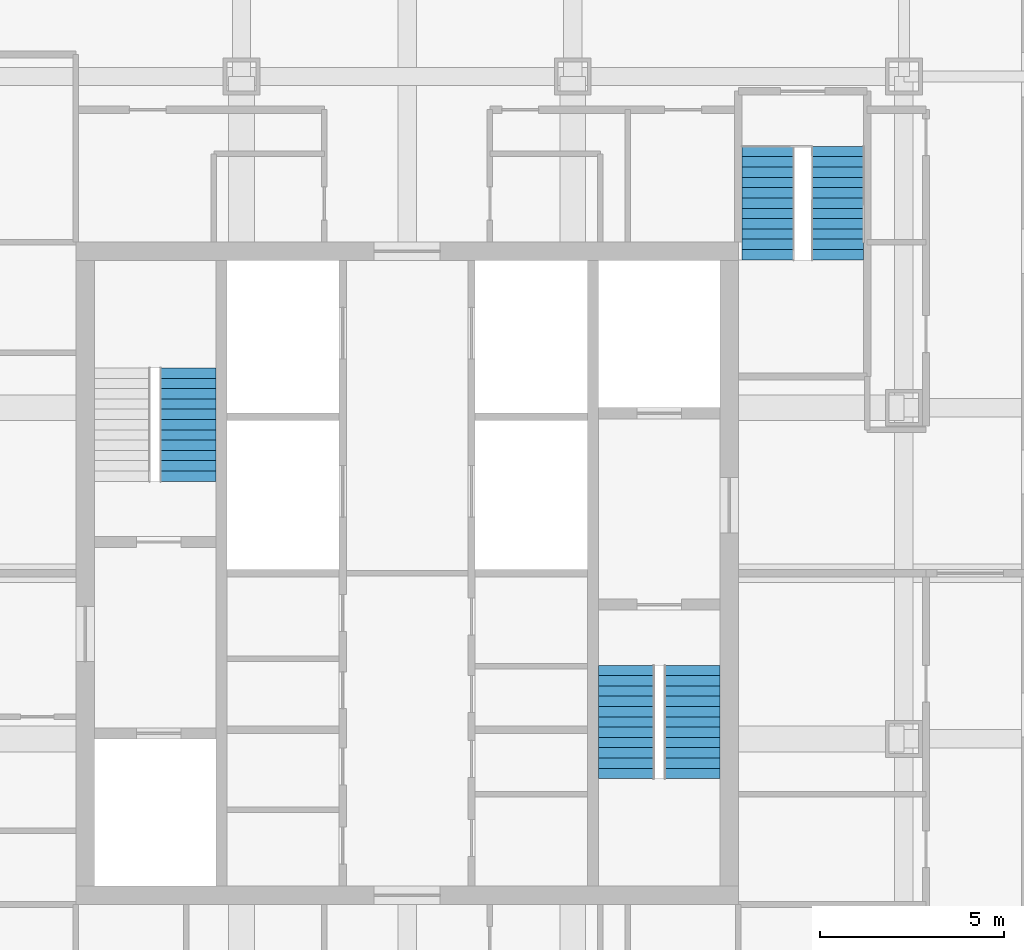
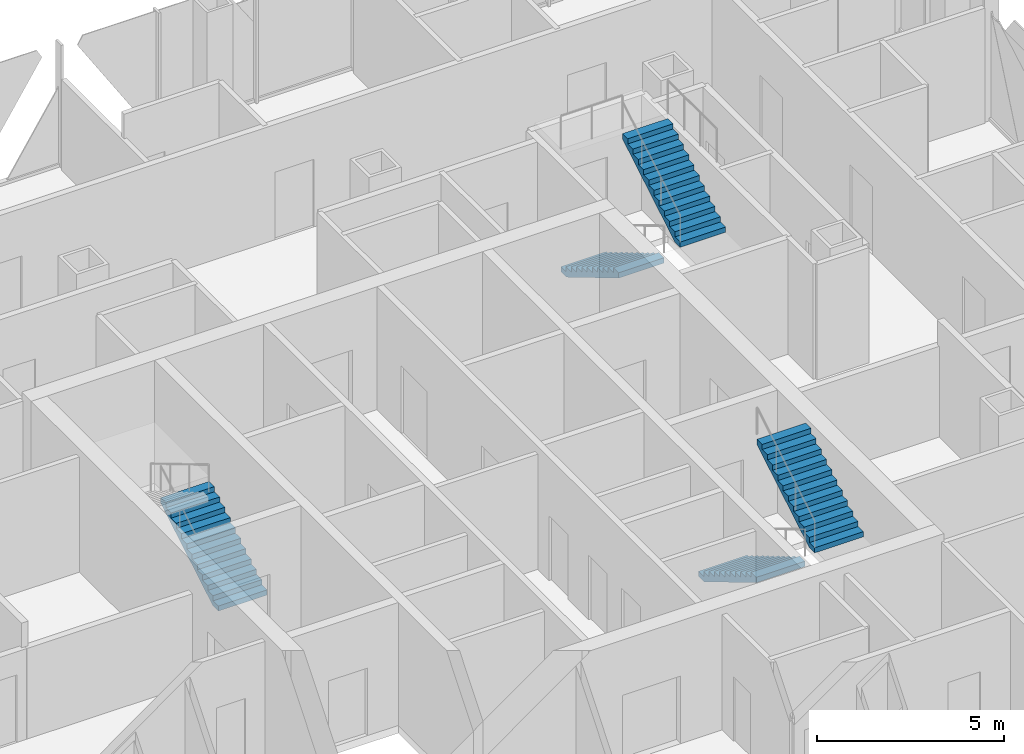
# One storey, part 12 of 25: 5 stair flights, 3 elements without a shape of their own.
"""IFC4 building model written with IfcOpenShell, lengths in metres."""

from ifc_helpers import new_model, si_unit, direction, frame, origin, place, context, subcontext, project, spatial, polyline, outline, extrude, material, type_object, element, aggregate, save


model = new_model("IFC4")

# Units and contexts
model_context = context("Model", 3, precision=1e-05, world=origin(), true_north=direction((0.0, 1.0)))
body_context = subcontext(model_context, "Body", "Model", "MODEL_VIEW")
ifc_project = project(units=[si_unit("LENGTHUNIT", "METRE"), si_unit("AREAUNIT", "SQUARE_METRE"), si_unit("VOLUMEUNIT", "CUBIC_METRE"), si_unit("PLANEANGLEUNIT", "RADIAN"), si_unit("MASSUNIT", "GRAM", prefix="KILO")], contexts=[model_context])

# Site, building, storey
site_placement = place(None, origin())
site = spatial("IfcSite", under=ifc_project, at=site_placement, CompositionType="ELEMENT")
building_placement = place(site_placement, origin())
building = spatial("IfcBuilding", under=site, at=building_placement, Name="Malebo Sky Hospital", CompositionType="ELEMENT")
storey_placement = place(building_placement, frame((0.0, 0.0, 241.0)))
storey = spatial("IfcBuildingStorey", under=building, at=storey_placement, Name="L58", CompositionType="ELEMENT", Elevation=241.0)

# Stair, stair flights
ifc_material = material(Name="Concrete C40/50", Category="concrete")
stair_type_1 = type_object("IfcStairType", Name="HALF-TURN STAIR 1400 R167", PredefinedType="HALF_TURN_STAIR", material=ifc_material)
stair_1_placement = place(storey_placement, origin())
stair_1 = element("IfcStair", 1, at=stair_1_placement, inside=storey, type_object=stair_type_1, Name="Stair S3 L58 type ST1B", PredefinedType="HALF_TURN_STAIR")
stair_flight_type_1 = type_object("IfcStairFlightType", Name="STAIR FLIGHT 1400 R167", PredefinedType="STRAIGHT", material=ifc_material)
stair_flight_1_placement = place(storey_placement, frame((69.800048828125, 73.60009765625, 0.0), z_axis=(0.0, 0.0, 1.0), x_axis=(0.0, -1.0, 0.0)))
stair_flight_1 = element("IfcStairFlight", 2, at=stair_flight_1_placement, type_object=stair_flight_type_1, Name="S3 flight 1 type SF1B", NumberOfRisers=12, NumberOfTreads=11, PredefinedType="STRAIGHT", RiserHeight=0.166666667, TreadLength=0.28, context=body_context, shape_type="SweptSolid", body=[
    extrude(outline(polyline([(0.0, 0.0), (0.0, 0.166748046875), (0.280029296875, 0.166748046875), (0.280029296875, 0.333251953125), (0.56005859375, 0.333251953125), (0.56005859375, 0.5), (0.840087890625, 0.5), (0.840087890625, 0.666748046875), (1.1201171875, 0.666748046875), (1.1201171875, 0.833251953125), (1.39990234375, 0.833251953125), (1.39990234375, 1.0), (1.679931640625, 1.0), (1.679931640625, 1.166748046875), (1.9599609375, 1.166748046875), (1.9599609375, 1.333251953125), (2.239990234375, 1.333251953125), (2.239990234375, 1.5), (2.52001953125, 1.5), (2.52001953125, 1.666748046875), (2.800048828125, 1.666748046875), (2.800048828125, 1.833251953125), (3.080078125, 1.833251953125), (3.080078125, 2.0), (3.080078125, 1.658935546875), (0.29296875, 0.0), (0.0, 0.0)])), frame((0.0, 0.699951171875, 0.0), z_axis=(0.0, -1.0, 0.0), x_axis=(1.0, 0.0, 0.0)), (0.0, 0.0, 1.0), 1.39990234375),
])
stair_flight_2_placement = place(storey_placement, frame((71.699951171875, 70.52001953125, 2.0), z_axis=(0.0, 0.0, 1.0), x_axis=(0.0, 1.0, 0.0)))
stair_flight_2 = element("IfcStairFlight", 3, at=stair_flight_2_placement, type_object=stair_flight_type_1, Name="S3 flight 2 type SF1B", NumberOfRisers=12, NumberOfTreads=11, PredefinedType="STRAIGHT", RiserHeight=0.166666667, TreadLength=0.28, context=body_context, shape_type="SweptSolid", body=[
    extrude(outline(polyline([(0.0, 0.0), (0.0, 0.166748046875), (0.280029296875, 0.166748046875), (0.280029296875, 0.333251953125), (0.56005859375, 0.333251953125), (0.56005859375, 0.5), (0.840087890625, 0.5), (0.840087890625, 0.666748046875), (1.1201171875, 0.666748046875), (1.1201171875, 0.833251953125), (1.39990234375, 0.833251953125), (1.39990234375, 1.0), (1.679931640625, 1.0), (1.679931640625, 1.166748046875), (1.9599609375, 1.166748046875), (1.9599609375, 1.333251953125), (2.239990234375, 1.333251953125), (2.239990234375, 1.5), (2.52001953125, 1.5), (2.52001953125, 1.666748046875), (2.800048828125, 1.666748046875), (2.800048828125, 1.833251953125), (3.080078125, 1.833251953125), (3.080078125, 2.0), (3.080078125, 1.658935546875), (0.29296875, 0.0), (0.0, 0.0)])), frame((0.0, 0.699951171875, 0.0), z_axis=(0.0, -1.0, 0.0), x_axis=(1.0, 0.0, 0.0)), (0.0, 0.0, 1.0), 1.39990234375),
])
aggregate(stair_1, [stair_flight_1, stair_flight_2])

# Stair, stair flight
stair_type_2 = type_object("IfcStairType", Name="HALF-TURN STAIR 1500 R167", PredefinedType="HALF_TURN_STAIR", material=ifc_material)
stair_2_placement = place(storey_placement, origin())
stair_2 = element("IfcStair", 4, at=stair_2_placement, inside=storey, type_object=stair_type_2, Name="Stair S1 L58 type ST1", PredefinedType="HALF_TURN_STAIR")
stair_flight_type_2 = type_object("IfcStairFlightType", Name="STAIR FLIGHT 1500 R167", PredefinedType="STRAIGHT", material=ifc_material)
stair_flight_3_placement = place(storey_placement, frame((54.050048828125, 64.5, 0.0), z_axis=(0.0, 0.0, 1.0), x_axis=(0.0, 1.0, 0.0)))
stair_flight_3 = element("IfcStairFlight", 5, at=stair_flight_3_placement, type_object=stair_flight_type_2, Name="S1 flight 1 type SF1", NumberOfRisers=12, NumberOfTreads=11, PredefinedType="STRAIGHT", RiserHeight=0.166666667, TreadLength=0.28, context=body_context, shape_type="SweptSolid", body=[
    extrude(outline(polyline([(0.0, 0.0), (0.0, 0.166748046875), (0.280029296875, 0.166748046875), (0.280029296875, 0.333251953125), (0.56005859375, 0.333251953125), (0.56005859375, 0.5), (0.840087890625, 0.5), (0.840087890625, 0.666748046875), (1.1201171875, 0.666748046875), (1.1201171875, 0.833251953125), (1.39990234375, 0.833251953125), (1.39990234375, 1.0), (1.679931640625, 1.0), (1.679931640625, 1.166748046875), (1.9599609375, 1.166748046875), (1.9599609375, 1.333251953125), (2.239990234375, 1.333251953125), (2.239990234375, 1.5), (2.52001953125, 1.5), (2.52001953125, 1.666748046875), (2.800048828125, 1.666748046875), (2.800048828125, 1.833251953125), (3.080078125, 1.833251953125), (3.080078125, 2.0), (3.080078125, 1.658935546875), (0.29296875, 0.0), (0.0, 0.0)])), frame((0.0, 0.75, 0.0), z_axis=(0.0, -1.0, 0.0), x_axis=(1.0, 0.0, 0.0)), (0.0, 0.0, 1.0), 1.5),
])
aggregate(stair_2, [stair_flight_3])

# Stair, stair flights
stair_3_placement = place(storey_placement, origin())
stair_3 = element("IfcStair", 6, at=stair_3_placement, inside=storey, type_object=stair_type_2, Name="Stair S2 L58 type ST1", PredefinedType="HALF_TURN_STAIR")
stair_flight_4_placement = place(storey_placement, frame((65.949951171875, 59.5, 0.0), z_axis=(0.0, 0.0, 1.0), x_axis=(0.0, -1.0, 0.0)))
stair_flight_4 = element("IfcStairFlight", 7, at=stair_flight_4_placement, type_object=stair_flight_type_2, Name="S2 flight 1 type SF1", NumberOfRisers=12, NumberOfTreads=11, PredefinedType="STRAIGHT", RiserHeight=0.166666667, TreadLength=0.28, context=body_context, shape_type="SweptSolid", body=[
    extrude(outline(polyline([(0.0, 0.0), (0.0, 0.166748046875), (0.280029296875, 0.166748046875), (0.280029296875, 0.333251953125), (0.56005859375, 0.333251953125), (0.56005859375, 0.5), (0.840087890625, 0.5), (0.840087890625, 0.666748046875), (1.1201171875, 0.666748046875), (1.1201171875, 0.833251953125), (1.39990234375, 0.833251953125), (1.39990234375, 1.0), (1.679931640625, 1.0), (1.679931640625, 1.166748046875), (1.9599609375, 1.166748046875), (1.9599609375, 1.333251953125), (2.239990234375, 1.333251953125), (2.239990234375, 1.5), (2.52001953125, 1.5), (2.52001953125, 1.666748046875), (2.800048828125, 1.666748046875), (2.800048828125, 1.833251953125), (3.080078125, 1.833251953125), (3.080078125, 2.0), (3.080078125, 1.658935546875), (0.29296875, 0.0), (0.0, 0.0)])), frame((0.0, 0.75, 0.0), z_axis=(0.0, -1.0, 0.0), x_axis=(1.0, 0.0, 0.0)), (0.0, 0.0, 1.0), 1.5),
])
stair_flight_5_placement = place(storey_placement, frame((67.75, 56.419921875, 2.0), z_axis=(0.0, 0.0, 1.0), x_axis=(0.0, 1.0, 0.0)))
stair_flight_5 = element("IfcStairFlight", 8, at=stair_flight_5_placement, type_object=stair_flight_type_2, Name="S2 flight 2 type SF1", NumberOfRisers=12, NumberOfTreads=11, PredefinedType="STRAIGHT", RiserHeight=0.166666667, TreadLength=0.28, context=body_context, shape_type="SweptSolid", body=[
    extrude(outline(polyline([(0.0, 0.0), (0.0, 0.166748046875), (0.280029296875, 0.166748046875), (0.280029296875, 0.333251953125), (0.56005859375, 0.333251953125), (0.56005859375, 0.5), (0.840087890625, 0.5), (0.840087890625, 0.666748046875), (1.1201171875, 0.666748046875), (1.1201171875, 0.833251953125), (1.39990234375, 0.833251953125), (1.39990234375, 1.0), (1.679931640625, 1.0), (1.679931640625, 1.166748046875), (1.9599609375, 1.166748046875), (1.9599609375, 1.333251953125), (2.239990234375, 1.333251953125), (2.239990234375, 1.5), (2.52001953125, 1.5), (2.52001953125, 1.666748046875), (2.800048828125, 1.666748046875), (2.800048828125, 1.833251953125), (3.080078125, 1.833251953125), (3.080078125, 2.0), (3.080078125, 1.658935546875), (0.29296875, 0.0), (0.0, 0.0)])), frame((0.0, 0.75, 0.0), z_axis=(0.0, -1.0, 0.0), x_axis=(1.0, 0.0, 0.0)), (0.0, 0.0, 1.0), 1.5),
])
aggregate(stair_3, [stair_flight_4, stair_flight_5])

save(model, "model.ifc")
